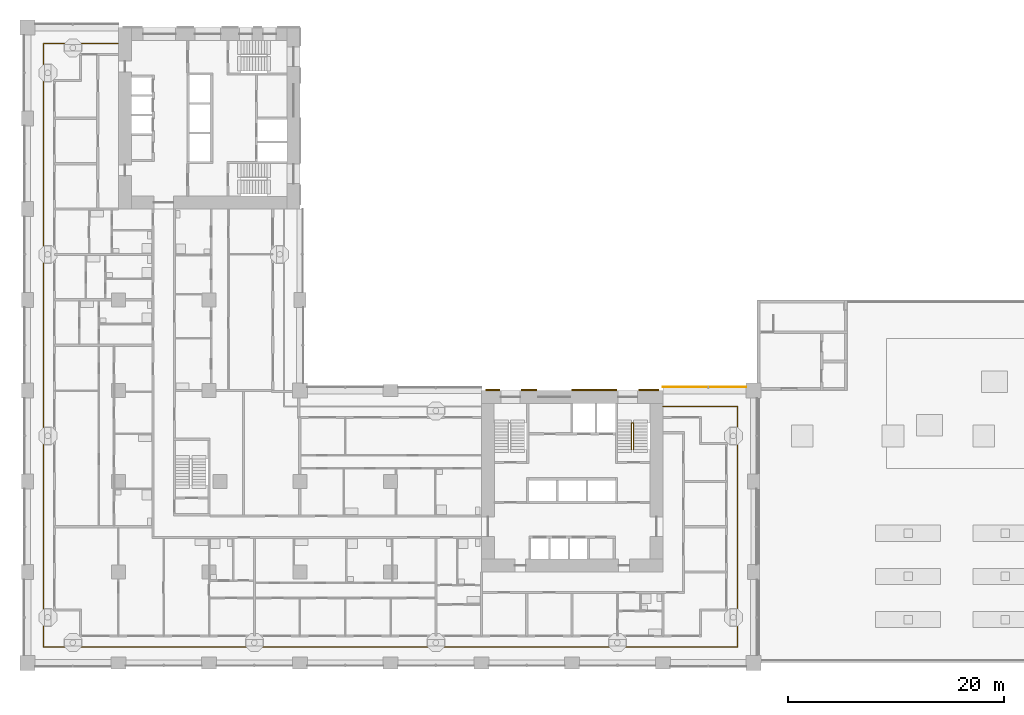
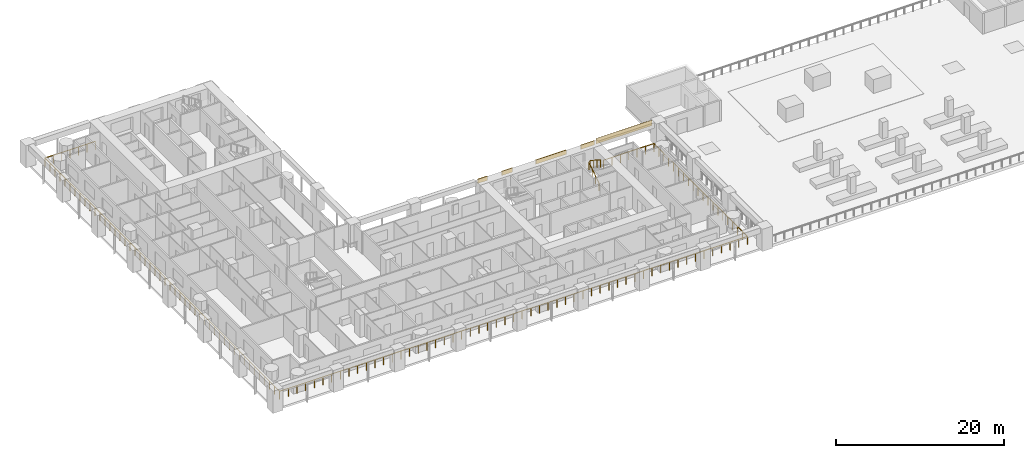
# One storey, part 15 of 23: 5 shading devices, 2 railings.
"""IFC4 building model written with IfcOpenShell, lengths in metres."""

from ifc_helpers import new_model, si_unit, direction, frame, origin, origin_2d, place, context, subcontext, project, spatial, rectangle, circle, extrude, material, layer, layer_set, type_object, element, save


model = new_model("IFC4")

# Units and contexts
model_context = context("Model", 3, precision=1e-05, world=origin(), true_north=direction((0.0, 1.0)))
body_context = subcontext(model_context, "Body", "Model", "MODEL_VIEW")
ifc_project = project(units=[si_unit("LENGTHUNIT", "METRE"), si_unit("AREAUNIT", "SQUARE_METRE"), si_unit("VOLUMEUNIT", "CUBIC_METRE"), si_unit("PLANEANGLEUNIT", "RADIAN"), si_unit("MASSUNIT", "GRAM", prefix="KILO")], contexts=[model_context])

# Site, building, storey
site_placement = place(None, origin())
site = spatial("IfcSite", under=ifc_project, at=site_placement, CompositionType="ELEMENT")
building_placement = place(site_placement, origin())
building = spatial("IfcBuilding", under=site, at=building_placement, Name="Vermilion Gate Residences", CompositionType="ELEMENT")
storey_placement = place(building_placement, frame((0.0, 0.0, 25.199951171875)))
storey = spatial("IfcBuildingStorey", under=building, at=storey_placement, Name="L04", CompositionType="ELEMENT", Elevation=25.199951171875)

# Railing
ifc_material_1 = material(Name="Stainless steel and toughened glass", Category="steel")
railing_type_1 = type_object("IfcRailingType", Name="LOGGIA GUARD STEEL AND GLASS 1200", PredefinedType="GUARDRAIL", material=ifc_material_1)
railing_1_placement = place(storey_placement, frame((8.3779296875, 57.324951171875, 0.0)))
element("IfcRailing", 1, at=railing_1_placement, inside=storey, type_object=railing_type_1, Name="Loggia guard", PredefinedType="GUARDRAIL", context=body_context, shape_type="SweptSolid", body=[
    extrude(circle(Radius=0.030029296875, at=origin_2d()), frame((0.0, 0.0, 1.169921875), z_axis=(-1.0, 0.0, 0.0), x_axis=(0.0, -1.0, 0.0)), (0.0, 0.0, 1.0), 6.90283203125),
    extrude(circle(Radius=0.030029296875, at=origin_2d()), frame((-6.90283203125, 0.0, 1.169921875), z_axis=(0.0, -1.0, 0.0), x_axis=(1.0, 0.0, 0.0)), (0.0, 0.0, 1.0), 55.849853515625),
    extrude(circle(Radius=0.030029296875, at=origin_2d()), frame((-6.90283203125, -55.849853515625, 1.169921875), z_axis=(1.0, 0.0, 0.0), x_axis=(0.0, 1.0, 0.0)), (0.0, 0.0, 1.0), 64.25),
    extrude(circle(Radius=0.030029296875, at=origin_2d()), frame((57.34716796875, -55.849853515625, 1.169921875), z_axis=(0.0, 1.0, 0.0), x_axis=(-1.0, 0.0, 0.0)), (0.0, 0.0, 1.0), 22.25),
    extrude(circle(Radius=0.030029296875, at=origin_2d()), frame((57.34716796875, -33.599853515625, 1.169921875), z_axis=(-1.0, 0.0, 0.0), x_axis=(0.0, -1.0, 0.0)), (0.0, 0.0, 1.0), 6.903076171875),
    extrude(circle(Radius=0.02490234375, at=origin_2d()), origin(), (0.0, 0.0, 1.0), 1.139892578125),
    extrude(circle(Radius=0.02490234375, at=origin_2d()), frame((-1.150390625, 0.0, 0.0)), (0.0, 0.0, 1.0), 1.139892578125),
    extrude(circle(Radius=0.02490234375, at=origin_2d()), frame((-2.301025390625, 0.0, 0.0)), (0.0, 0.0, 1.0), 1.139892578125),
    extrude(circle(Radius=0.02490234375, at=origin_2d()), frame((-3.451416015625, 0.0, 0.0)), (0.0, 0.0, 1.0), 1.139892578125),
    extrude(circle(Radius=0.02490234375, at=origin_2d()), frame((-4.601806640625, 0.0, 0.0)), (0.0, 0.0, 1.0), 1.139892578125),
    extrude(circle(Radius=0.02490234375, at=origin_2d()), frame((-5.75244140625, 0.0, 0.0)), (0.0, 0.0, 1.0), 1.139892578125),
    extrude(circle(Radius=0.02490234375, at=origin_2d()), frame((-6.90283203125, 0.0, 0.0)), (0.0, 0.0, 1.0), 1.139892578125),
    extrude(circle(Radius=0.02490234375, at=origin_2d()), frame((-6.90283203125, -1.188232421875, 0.0)), (0.0, 0.0, 1.0), 1.139892578125),
    extrude(circle(Radius=0.02490234375, at=origin_2d()), frame((-6.90283203125, -2.376708984375, 0.0)), (0.0, 0.0, 1.0), 1.139892578125),
    extrude(circle(Radius=0.02490234375, at=origin_2d()), frame((-6.90283203125, -3.56494140625, 0.0)), (0.0, 0.0, 1.0), 1.139892578125),
    extrude(circle(Radius=0.02490234375, at=origin_2d()), frame((-6.90283203125, -4.753173828125, 0.0)), (0.0, 0.0, 1.0), 1.139892578125),
    extrude(circle(Radius=0.02490234375, at=origin_2d()), frame((-6.90283203125, -5.94140625, 0.0)), (0.0, 0.0, 1.0), 1.139892578125),
    extrude(circle(Radius=0.02490234375, at=origin_2d()), frame((-6.90283203125, -7.1298828125, 0.0)), (0.0, 0.0, 1.0), 1.139892578125),
    extrude(circle(Radius=0.02490234375, at=origin_2d()), frame((-6.90283203125, -8.318115234375, 0.0)), (0.0, 0.0, 1.0), 1.139892578125),
    extrude(circle(Radius=0.02490234375, at=origin_2d()), frame((-6.90283203125, -9.50634765625, 0.0)), (0.0, 0.0, 1.0), 1.139892578125),
    extrude(circle(Radius=0.02490234375, at=origin_2d()), frame((-6.90283203125, -10.694580078125, 0.0)), (0.0, 0.0, 1.0), 1.139892578125),
    extrude(circle(Radius=0.02490234375, at=origin_2d()), frame((-6.90283203125, -11.883056640625, 0.0)), (0.0, 0.0, 1.0), 1.139892578125),
    extrude(circle(Radius=0.02490234375, at=origin_2d()), frame((-6.90283203125, -13.0712890625, 0.0)), (0.0, 0.0, 1.0), 1.139892578125),
    extrude(circle(Radius=0.02490234375, at=origin_2d()), frame((-6.90283203125, -14.259521484375, 0.0)), (0.0, 0.0, 1.0), 1.139892578125),
    extrude(circle(Radius=0.02490234375, at=origin_2d()), frame((-6.90283203125, -15.44775390625, 0.0)), (0.0, 0.0, 1.0), 1.139892578125),
    extrude(circle(Radius=0.02490234375, at=origin_2d()), frame((-6.90283203125, -16.63623046875, 0.0)), (0.0, 0.0, 1.0), 1.139892578125),
    extrude(circle(Radius=0.02490234375, at=origin_2d()), frame((-6.90283203125, -17.824462890625, 0.0)), (0.0, 0.0, 1.0), 1.139892578125),
    extrude(circle(Radius=0.02490234375, at=origin_2d()), frame((-6.90283203125, -19.0126953125, 0.0)), (0.0, 0.0, 1.0), 1.139892578125),
    extrude(circle(Radius=0.02490234375, at=origin_2d()), frame((-6.90283203125, -20.200927734375, 0.0)), (0.0, 0.0, 1.0), 1.139892578125),
    extrude(circle(Radius=0.02490234375, at=origin_2d()), frame((-6.90283203125, -21.389404296875, 0.0)), (0.0, 0.0, 1.0), 1.139892578125),
    extrude(circle(Radius=0.02490234375, at=origin_2d()), frame((-6.90283203125, -22.57763671875, 0.0)), (0.0, 0.0, 1.0), 1.139892578125),
    extrude(circle(Radius=0.02490234375, at=origin_2d()), frame((-6.90283203125, -23.765869140625, 0.0)), (0.0, 0.0, 1.0), 1.139892578125),
    extrude(circle(Radius=0.02490234375, at=origin_2d()), frame((-6.90283203125, -24.9541015625, 0.0)), (0.0, 0.0, 1.0), 1.139892578125),
    extrude(circle(Radius=0.02490234375, at=origin_2d()), frame((-6.90283203125, -26.142578125, 0.0)), (0.0, 0.0, 1.0), 1.139892578125),
    extrude(circle(Radius=0.02490234375, at=origin_2d()), frame((-6.90283203125, -27.330810546875, 0.0)), (0.0, 0.0, 1.0), 1.139892578125),
    extrude(circle(Radius=0.02490234375, at=origin_2d()), frame((-6.90283203125, -28.51904296875, 0.0)), (0.0, 0.0, 1.0), 1.139892578125),
    extrude(circle(Radius=0.02490234375, at=origin_2d()), frame((-6.90283203125, -29.707275390625, 0.0)), (0.0, 0.0, 1.0), 1.139892578125),
    extrude(circle(Radius=0.02490234375, at=origin_2d()), frame((-6.90283203125, -30.895751953125, 0.0)), (0.0, 0.0, 1.0), 1.139892578125),
    extrude(circle(Radius=0.02490234375, at=origin_2d()), frame((-6.90283203125, -32.083984375, 0.0)), (0.0, 0.0, 1.0), 1.139892578125),
    extrude(circle(Radius=0.02490234375, at=origin_2d()), frame((-6.90283203125, -33.272216796875, 0.0)), (0.0, 0.0, 1.0), 1.139892578125),
    extrude(circle(Radius=0.02490234375, at=origin_2d()), frame((-6.90283203125, -34.46044921875, 0.0)), (0.0, 0.0, 1.0), 1.139892578125),
    extrude(circle(Radius=0.02490234375, at=origin_2d()), frame((-6.90283203125, -35.64892578125, 0.0)), (0.0, 0.0, 1.0), 1.139892578125),
    extrude(circle(Radius=0.02490234375, at=origin_2d()), frame((-6.90283203125, -36.837158203125, 0.0)), (0.0, 0.0, 1.0), 1.139892578125),
    extrude(circle(Radius=0.02490234375, at=origin_2d()), frame((-6.90283203125, -38.025390625, 0.0)), (0.0, 0.0, 1.0), 1.139892578125),
    extrude(circle(Radius=0.02490234375, at=origin_2d()), frame((-6.90283203125, -39.213623046875, 0.0)), (0.0, 0.0, 1.0), 1.139892578125),
    extrude(circle(Radius=0.02490234375, at=origin_2d()), frame((-6.90283203125, -40.402099609375, 0.0)), (0.0, 0.0, 1.0), 1.139892578125),
    extrude(circle(Radius=0.02490234375, at=origin_2d()), frame((-6.90283203125, -41.59033203125, 0.0)), (0.0, 0.0, 1.0), 1.139892578125),
    extrude(circle(Radius=0.02490234375, at=origin_2d()), frame((-6.90283203125, -42.778564453125, 0.0)), (0.0, 0.0, 1.0), 1.139892578125),
    extrude(circle(Radius=0.02490234375, at=origin_2d()), frame((-6.90283203125, -43.966796875, 0.0)), (0.0, 0.0, 1.0), 1.139892578125),
    extrude(circle(Radius=0.02490234375, at=origin_2d()), frame((-6.90283203125, -45.1552734375, 0.0)), (0.0, 0.0, 1.0), 1.139892578125),
    extrude(circle(Radius=0.02490234375, at=origin_2d()), frame((-6.90283203125, -46.343505859375, 0.0)), (0.0, 0.0, 1.0), 1.139892578125),
    extrude(circle(Radius=0.02490234375, at=origin_2d()), frame((-6.90283203125, -47.53173828125, 0.0)), (0.0, 0.0, 1.0), 1.139892578125),
    extrude(circle(Radius=0.02490234375, at=origin_2d()), frame((-6.90283203125, -48.719970703125, 0.0)), (0.0, 0.0, 1.0), 1.139892578125),
    extrude(circle(Radius=0.02490234375, at=origin_2d()), frame((-6.90283203125, -49.908447265625, 0.0)), (0.0, 0.0, 1.0), 1.139892578125),
    extrude(circle(Radius=0.02490234375, at=origin_2d()), frame((-6.90283203125, -51.0966796875, 0.0)), (0.0, 0.0, 1.0), 1.139892578125),
    extrude(circle(Radius=0.02490234375, at=origin_2d()), frame((-6.90283203125, -52.284912109375, 0.0)), (0.0, 0.0, 1.0), 1.139892578125),
    extrude(circle(Radius=0.02490234375, at=origin_2d()), frame((-6.90283203125, -53.47314453125, 0.0)), (0.0, 0.0, 1.0), 1.139892578125),
    extrude(circle(Radius=0.02490234375, at=origin_2d()), frame((-6.90283203125, -54.66162109375, 0.0)), (0.0, 0.0, 1.0), 1.139892578125),
    extrude(circle(Radius=0.02490234375, at=origin_2d()), frame((-6.90283203125, -55.849853515625, 0.0)), (0.0, 0.0, 1.0), 1.139892578125),
    extrude(circle(Radius=0.02490234375, at=origin_2d()), frame((-5.713134765625, -55.849853515625, 0.0)), (0.0, 0.0, 1.0), 1.139892578125),
    extrude(circle(Radius=0.02490234375, at=origin_2d()), frame((-4.523193359375, -55.849853515625, 0.0)), (0.0, 0.0, 1.0), 1.139892578125),
    extrude(circle(Radius=0.02490234375, at=origin_2d()), frame((-3.33349609375, -55.849853515625, 0.0)), (0.0, 0.0, 1.0), 1.139892578125),
    extrude(circle(Radius=0.02490234375, at=origin_2d()), frame((-2.1435546875, -55.849853515625, 0.0)), (0.0, 0.0, 1.0), 1.139892578125),
    extrude(circle(Radius=0.02490234375, at=origin_2d()), frame((-0.953857421875, -55.849853515625, 0.0)), (0.0, 0.0, 1.0), 1.139892578125),
    extrude(circle(Radius=0.02490234375, at=origin_2d()), frame((0.236083984375, -55.849853515625, 0.0)), (0.0, 0.0, 1.0), 1.139892578125),
    extrude(circle(Radius=0.02490234375, at=origin_2d()), frame((1.42578125, -55.849853515625, 0.0)), (0.0, 0.0, 1.0), 1.139892578125),
    extrude(circle(Radius=0.02490234375, at=origin_2d()), frame((2.61572265625, -55.849853515625, 0.0)), (0.0, 0.0, 1.0), 1.139892578125),
    extrude(circle(Radius=0.02490234375, at=origin_2d()), frame((3.805419921875, -55.849853515625, 0.0)), (0.0, 0.0, 1.0), 1.139892578125),
    extrude(circle(Radius=0.02490234375, at=origin_2d()), frame((4.995361328125, -55.849853515625, 0.0)), (0.0, 0.0, 1.0), 1.139892578125),
    extrude(circle(Radius=0.02490234375, at=origin_2d()), frame((6.18505859375, -55.849853515625, 0.0)), (0.0, 0.0, 1.0), 1.139892578125),
    extrude(circle(Radius=0.02490234375, at=origin_2d()), frame((7.375, -55.849853515625, 0.0)), (0.0, 0.0, 1.0), 1.139892578125),
    extrude(circle(Radius=0.02490234375, at=origin_2d()), frame((8.564697265625, -55.849853515625, 0.0)), (0.0, 0.0, 1.0), 1.139892578125),
    extrude(circle(Radius=0.02490234375, at=origin_2d()), frame((9.754638671875, -55.849853515625, 0.0)), (0.0, 0.0, 1.0), 1.139892578125),
    extrude(circle(Radius=0.02490234375, at=origin_2d()), frame((10.9443359375, -55.849853515625, 0.0)), (0.0, 0.0, 1.0), 1.139892578125),
    extrude(circle(Radius=0.02490234375, at=origin_2d()), frame((12.13427734375, -55.849853515625, 0.0)), (0.0, 0.0, 1.0), 1.139892578125),
    extrude(circle(Radius=0.02490234375, at=origin_2d()), frame((13.323974609375, -55.849853515625, 0.0)), (0.0, 0.0, 1.0), 1.139892578125),
    extrude(circle(Radius=0.02490234375, at=origin_2d()), frame((14.513916015625, -55.849853515625, 0.0)), (0.0, 0.0, 1.0), 1.139892578125),
    extrude(circle(Radius=0.02490234375, at=origin_2d()), frame((15.70361328125, -55.849853515625, 0.0)), (0.0, 0.0, 1.0), 1.139892578125),
    extrude(circle(Radius=0.02490234375, at=origin_2d()), frame((16.8935546875, -55.849853515625, 0.0)), (0.0, 0.0, 1.0), 1.139892578125),
    extrude(circle(Radius=0.02490234375, at=origin_2d()), frame((18.083251953125, -55.849853515625, 0.0)), (0.0, 0.0, 1.0), 1.139892578125),
    extrude(circle(Radius=0.02490234375, at=origin_2d()), frame((19.273193359375, -55.849853515625, 0.0)), (0.0, 0.0, 1.0), 1.139892578125),
    extrude(circle(Radius=0.02490234375, at=origin_2d()), frame((20.462890625, -55.849853515625, 0.0)), (0.0, 0.0, 1.0), 1.139892578125),
    extrude(circle(Radius=0.02490234375, at=origin_2d()), frame((21.65283203125, -55.849853515625, 0.0)), (0.0, 0.0, 1.0), 1.139892578125),
    extrude(circle(Radius=0.02490234375, at=origin_2d()), frame((22.842529296875, -55.849853515625, 0.0)), (0.0, 0.0, 1.0), 1.139892578125),
    extrude(circle(Radius=0.02490234375, at=origin_2d()), frame((24.032470703125, -55.849853515625, 0.0)), (0.0, 0.0, 1.0), 1.139892578125),
    extrude(circle(Radius=0.02490234375, at=origin_2d()), frame((25.22216796875, -55.849853515625, 0.0)), (0.0, 0.0, 1.0), 1.139892578125),
    extrude(circle(Radius=0.02490234375, at=origin_2d()), frame((26.411865234375, -55.849853515625, 0.0)), (0.0, 0.0, 1.0), 1.139892578125),
    extrude(circle(Radius=0.02490234375, at=origin_2d()), frame((27.601806640625, -55.849853515625, 0.0)), (0.0, 0.0, 1.0), 1.139892578125),
    extrude(circle(Radius=0.02490234375, at=origin_2d()), frame((28.79150390625, -55.849853515625, 0.0)), (0.0, 0.0, 1.0), 1.139892578125),
    extrude(circle(Radius=0.02490234375, at=origin_2d()), frame((29.9814453125, -55.849853515625, 0.0)), (0.0, 0.0, 1.0), 1.139892578125),
    extrude(circle(Radius=0.02490234375, at=origin_2d()), frame((31.171142578125, -55.849853515625, 0.0)), (0.0, 0.0, 1.0), 1.139892578125),
    extrude(circle(Radius=0.02490234375, at=origin_2d()), frame((32.361083984375, -55.849853515625, 0.0)), (0.0, 0.0, 1.0), 1.139892578125),
    extrude(circle(Radius=0.02490234375, at=origin_2d()), frame((33.55078125, -55.849853515625, 0.0)), (0.0, 0.0, 1.0), 1.139892578125),
    extrude(circle(Radius=0.02490234375, at=origin_2d()), frame((34.74072265625, -55.849853515625, 0.0)), (0.0, 0.0, 1.0), 1.139892578125),
    extrude(circle(Radius=0.02490234375, at=origin_2d()), frame((35.930419921875, -55.849853515625, 0.0)), (0.0, 0.0, 1.0), 1.139892578125),
    extrude(circle(Radius=0.02490234375, at=origin_2d()), frame((37.120361328125, -55.849853515625, 0.0)), (0.0, 0.0, 1.0), 1.139892578125),
    extrude(circle(Radius=0.02490234375, at=origin_2d()), frame((38.31005859375, -55.849853515625, 0.0)), (0.0, 0.0, 1.0), 1.139892578125),
    extrude(circle(Radius=0.02490234375, at=origin_2d()), frame((39.5, -55.849853515625, 0.0)), (0.0, 0.0, 1.0), 1.139892578125),
    extrude(circle(Radius=0.02490234375, at=origin_2d()), frame((40.689697265625, -55.849853515625, 0.0)), (0.0, 0.0, 1.0), 1.139892578125),
    extrude(circle(Radius=0.02490234375, at=origin_2d()), frame((41.879638671875, -55.849853515625, 0.0)), (0.0, 0.0, 1.0), 1.139892578125),
    extrude(circle(Radius=0.02490234375, at=origin_2d()), frame((43.0693359375, -55.849853515625, 0.0)), (0.0, 0.0, 1.0), 1.139892578125),
    extrude(circle(Radius=0.02490234375, at=origin_2d()), frame((44.25927734375, -55.849853515625, 0.0)), (0.0, 0.0, 1.0), 1.139892578125),
    extrude(circle(Radius=0.02490234375, at=origin_2d()), frame((45.448974609375, -55.849853515625, 0.0)), (0.0, 0.0, 1.0), 1.139892578125),
    extrude(circle(Radius=0.02490234375, at=origin_2d()), frame((46.638916015625, -55.849853515625, 0.0)), (0.0, 0.0, 1.0), 1.139892578125),
    extrude(circle(Radius=0.02490234375, at=origin_2d()), frame((47.82861328125, -55.849853515625, 0.0)), (0.0, 0.0, 1.0), 1.139892578125),
    extrude(circle(Radius=0.02490234375, at=origin_2d()), frame((49.0185546875, -55.849853515625, 0.0)), (0.0, 0.0, 1.0), 1.139892578125),
    extrude(circle(Radius=0.02490234375, at=origin_2d()), frame((50.208251953125, -55.849853515625, 0.0)), (0.0, 0.0, 1.0), 1.139892578125),
    extrude(circle(Radius=0.02490234375, at=origin_2d()), frame((51.398193359375, -55.849853515625, 0.0)), (0.0, 0.0, 1.0), 1.139892578125),
    extrude(circle(Radius=0.02490234375, at=origin_2d()), frame((52.587890625, -55.849853515625, 0.0)), (0.0, 0.0, 1.0), 1.139892578125),
    extrude(circle(Radius=0.02490234375, at=origin_2d()), frame((53.77783203125, -55.849853515625, 0.0)), (0.0, 0.0, 1.0), 1.139892578125),
    extrude(circle(Radius=0.02490234375, at=origin_2d()), frame((54.967529296875, -55.849853515625, 0.0)), (0.0, 0.0, 1.0), 1.139892578125),
    extrude(circle(Radius=0.02490234375, at=origin_2d()), frame((56.157470703125, -55.849853515625, 0.0)), (0.0, 0.0, 1.0), 1.139892578125),
    extrude(circle(Radius=0.02490234375, at=origin_2d()), frame((57.34716796875, -55.849853515625, 0.0)), (0.0, 0.0, 1.0), 1.139892578125),
    extrude(circle(Radius=0.02490234375, at=origin_2d()), frame((57.34716796875, -54.6787109375, 0.0)), (0.0, 0.0, 1.0), 1.139892578125),
    extrude(circle(Radius=0.02490234375, at=origin_2d()), frame((57.34716796875, -53.5078125, 0.0)), (0.0, 0.0, 1.0), 1.139892578125),
    extrude(circle(Radius=0.02490234375, at=origin_2d()), frame((57.34716796875, -52.336669921875, 0.0)), (0.0, 0.0, 1.0), 1.139892578125),
    extrude(circle(Radius=0.02490234375, at=origin_2d()), frame((57.34716796875, -51.16552734375, 0.0)), (0.0, 0.0, 1.0), 1.139892578125),
    extrude(circle(Radius=0.02490234375, at=origin_2d()), frame((57.34716796875, -49.99462890625, 0.0)), (0.0, 0.0, 1.0), 1.139892578125),
    extrude(circle(Radius=0.02490234375, at=origin_2d()), frame((57.34716796875, -48.823486328125, 0.0)), (0.0, 0.0, 1.0), 1.139892578125),
    extrude(circle(Radius=0.02490234375, at=origin_2d()), frame((57.34716796875, -47.652587890625, 0.0)), (0.0, 0.0, 1.0), 1.139892578125),
    extrude(circle(Radius=0.02490234375, at=origin_2d()), frame((57.34716796875, -46.4814453125, 0.0)), (0.0, 0.0, 1.0), 1.139892578125),
    extrude(circle(Radius=0.02490234375, at=origin_2d()), frame((57.34716796875, -45.310302734375, 0.0)), (0.0, 0.0, 1.0), 1.139892578125),
    extrude(circle(Radius=0.02490234375, at=origin_2d()), frame((57.34716796875, -44.139404296875, 0.0)), (0.0, 0.0, 1.0), 1.139892578125),
    extrude(circle(Radius=0.02490234375, at=origin_2d()), frame((57.34716796875, -42.96826171875, 0.0)), (0.0, 0.0, 1.0), 1.139892578125),
    extrude(circle(Radius=0.02490234375, at=origin_2d()), frame((57.34716796875, -41.797119140625, 0.0)), (0.0, 0.0, 1.0), 1.139892578125),
    extrude(circle(Radius=0.02490234375, at=origin_2d()), frame((57.34716796875, -40.626220703125, 0.0)), (0.0, 0.0, 1.0), 1.139892578125),
    extrude(circle(Radius=0.02490234375, at=origin_2d()), frame((57.34716796875, -39.455078125, 0.0)), (0.0, 0.0, 1.0), 1.139892578125),
    extrude(circle(Radius=0.02490234375, at=origin_2d()), frame((57.34716796875, -38.2841796875, 0.0)), (0.0, 0.0, 1.0), 1.139892578125),
    extrude(circle(Radius=0.02490234375, at=origin_2d()), frame((57.34716796875, -37.113037109375, 0.0)), (0.0, 0.0, 1.0), 1.139892578125),
    extrude(circle(Radius=0.02490234375, at=origin_2d()), frame((57.34716796875, -35.94189453125, 0.0)), (0.0, 0.0, 1.0), 1.139892578125),
    extrude(circle(Radius=0.02490234375, at=origin_2d()), frame((57.34716796875, -34.77099609375, 0.0)), (0.0, 0.0, 1.0), 1.139892578125),
    extrude(circle(Radius=0.02490234375, at=origin_2d()), frame((57.34716796875, -33.599853515625, 0.0)), (0.0, 0.0, 1.0), 1.139892578125),
    extrude(circle(Radius=0.02490234375, at=origin_2d()), frame((56.19677734375, -33.599853515625, 0.0)), (0.0, 0.0, 1.0), 1.139892578125),
    extrude(circle(Radius=0.02490234375, at=origin_2d()), frame((55.046142578125, -33.599853515625, 0.0)), (0.0, 0.0, 1.0), 1.139892578125),
    extrude(circle(Radius=0.02490234375, at=origin_2d()), frame((53.8955078125, -33.599853515625, 0.0)), (0.0, 0.0, 1.0), 1.139892578125),
    extrude(circle(Radius=0.02490234375, at=origin_2d()), frame((52.7451171875, -33.599853515625, 0.0)), (0.0, 0.0, 1.0), 1.139892578125),
    extrude(circle(Radius=0.02490234375, at=origin_2d()), frame((51.5947265625, -33.599853515625, 0.0)), (0.0, 0.0, 1.0), 1.139892578125),
    extrude(circle(Radius=0.02490234375, at=origin_2d()), frame((50.444091796875, -33.599853515625, 0.0)), (0.0, 0.0, 1.0), 1.139892578125),
])

# Shading device
ifc_material_2 = material(Name="Perforated terracotta", Category="masonry")
ifc_layer_1 = layer(ifc_material_2, 0.0400390625)
ifc_layer_set_1 = layer_set([ifc_layer_1], Name="PERFORATED TERRACOTTA SCREEN 40")
shading_device_type_1 = type_object("IfcShadingDeviceType", Name="PERFORATED TERRACOTTA SCREEN 40", PredefinedType="SHUTTER", material=ifc_layer_set_1)
shading_device_1_placement = place(storey_placement, frame((62.64990234375, 25.52001953125, 2.419921875), z_axis=(0.0, 0.0, 1.0), x_axis=(-1.0, 0.0, 0.0)))
element("IfcShadingDevice", 2, at=shading_device_1_placement, inside=storey, type_object=shading_device_type_1, Name="SCREEN", PredefinedType="SHUTTER", context=body_context, shape_type="SweptSolid", body=[
    extrude(rectangle(XDim=7.699951171875, YDim=0.0400390625, at=origin_2d()), origin(), (0.0, 0.0, 1.0), 0.800048828125),
])

# Railing
ifc_material_3 = material(Name="Steel S355", Category="steel")
railing_type_2 = type_object("IfcRailingType", Name="STAIR GUARD 1100 STEEL", PredefinedType="GUARDRAIL", material=ifc_material_3)
railing_2_placement = place(storey_placement, frame((55.89990234375, 19.75, 0.175048828125)))
element("IfcRailing", 3, at=railing_2_placement, inside=storey, type_object=railing_type_2, Name="Stair well guard STA2-04", PredefinedType="GUARDRAIL", context=body_context, shape_type="SweptSolid", body=[
    extrude(circle(Radius=0.02392578125, at=origin_2d()), frame((0.0, 0.0, 1.076171875), z_axis=(0.0, 0.839153699163, 0.543894354798), x_axis=(-1.0, 0.0, 0.0)), (0.0, 0.0, 1.0), 2.895751953125),
    extrude(circle(Radius=0.02392578125, at=origin_2d()), frame((0.0, 2.429931640625, 2.65087890625), z_axis=(0.752804132164, 0.0, 0.658244588734), x_axis=(0.0, 1.0, 0.0)), (0.0, 0.0, 1.0), 0.265869140625),
    extrude(circle(Radius=0.02392578125, at=origin_2d()), frame((0.2001953125, 2.429931640625, 2.826171875), z_axis=(0.0, -0.839153699163, 0.543894354798), x_axis=(1.0, 0.0, 0.0)), (0.0, 0.0, 1.0), 2.895751953125),
    extrude(circle(Radius=0.02099609375, at=origin_2d()), origin(), (0.0, 0.0, 1.0), 1.052001953125),
    extrude(circle(Radius=0.02099609375, at=origin_2d()), frame((0.0, 0.81005859375, 0.52490234375)), (0.0, 0.0, 1.0), 1.052001953125),
    extrude(circle(Radius=0.02099609375, at=origin_2d()), frame((0.0, 1.619873046875, 1.050048828125)), (0.0, 0.0, 1.0), 1.052001953125),
    extrude(circle(Radius=0.02099609375, at=origin_2d()), frame((0.0, 2.429931640625, 1.574951171875)), (0.0, 0.0, 1.0), 1.052001953125),
    extrude(circle(Radius=0.02099609375, at=origin_2d()), frame((0.2001953125, 2.429931640625, 1.75)), (0.0, 0.0, 1.0), 1.052001953125),
    extrude(circle(Radius=0.02099609375, at=origin_2d()), frame((0.2001953125, 1.619873046875, 2.27490234375)), (0.0, 0.0, 1.0), 1.052001953125),
    extrude(circle(Radius=0.02099609375, at=origin_2d()), frame((0.2001953125, 0.81005859375, 2.800048828125)), (0.0, 0.0, 1.0), 1.052001953125),
    extrude(circle(Radius=0.02099609375, at=origin_2d()), frame((0.2001953125, 0.0, 3.324951171875)), (0.0, 0.0, 1.0), 1.052001953125),
])

# Shading devices
ifc_material_4 = material(Name="Extruded terracotta", Category="masonry")
ifc_layer_2 = layer(ifc_material_4, 0.10009765625)
ifc_layer_set_2 = layer_set([ifc_layer_2], Name="TERRACOTTA SPANDREL BAND 600 X 100")
shading_device_type_2 = type_object("IfcShadingDeviceType", Name="TERRACOTTA SPANDREL BAND 600 X 100", PredefinedType="USERDEFINED", material=ifc_layer_set_2)
shading_device_2_placement = place(storey_placement, frame((43.050048828125, 25.25, 2.6201171875), z_axis=(0.0, 0.0, 1.0), x_axis=(1.0, 0.0, 0.0)))
element("IfcShadingDevice", 4, at=shading_device_2_placement, inside=storey, type_object=shading_device_type_2, Name="SPANDREL BAND", ObjectType="BAND", PredefinedType="USERDEFINED", context=body_context, shape_type="SweptSolid", body=[
    extrude(rectangle(XDim=1.300048828125, YDim=0.10009765625, at=origin_2d()), origin(), (0.0, 0.0, 1.0), 0.60009765625),
])
shading_device_3_placement = place(storey_placement, frame((46.425048828125, 25.25, 2.6201171875), z_axis=(0.0, 0.0, 1.0), x_axis=(1.0, 0.0, 0.0)))
element("IfcShadingDevice", 5, at=shading_device_3_placement, inside=storey, type_object=shading_device_type_2, Name="SPANDREL BAND", ObjectType="BAND", PredefinedType="USERDEFINED", context=body_context, shape_type="SweptSolid", body=[
    extrude(rectangle(XDim=1.449951171875, YDim=0.10009765625, at=origin_2d()), origin(), (0.0, 0.0, 1.0), 0.60009765625),
])
shading_device_4_placement = place(storey_placement, frame((52.449951171875, 25.25, 2.6201171875), z_axis=(0.0, 0.0, 1.0), x_axis=(1.0, 0.0, 0.0)))
element("IfcShadingDevice", 6, at=shading_device_4_placement, inside=storey, type_object=shading_device_type_2, Name="SPANDREL BAND", ObjectType="BAND", PredefinedType="USERDEFINED", context=body_context, shape_type="SweptSolid", body=[
    extrude(rectangle(XDim=4.199951171875, YDim=0.10009765625, at=origin_2d()), origin(), (0.0, 0.0, 1.0), 0.60009765625),
])
shading_device_5_placement = place(storey_placement, frame((57.47509765625, 25.25, 2.6201171875), z_axis=(0.0, 0.0, 1.0), x_axis=(1.0, 0.0, 0.0)))
element("IfcShadingDevice", 7, at=shading_device_5_placement, inside=storey, type_object=shading_device_type_2, Name="SPANDREL BAND", ObjectType="BAND", PredefinedType="USERDEFINED", context=body_context, shape_type="SweptSolid", body=[
    extrude(rectangle(XDim=1.85009765625, YDim=0.10009765625, at=origin_2d()), origin(), (0.0, 0.0, 1.0), 0.60009765625),
])

save(model, "model.ifc")
